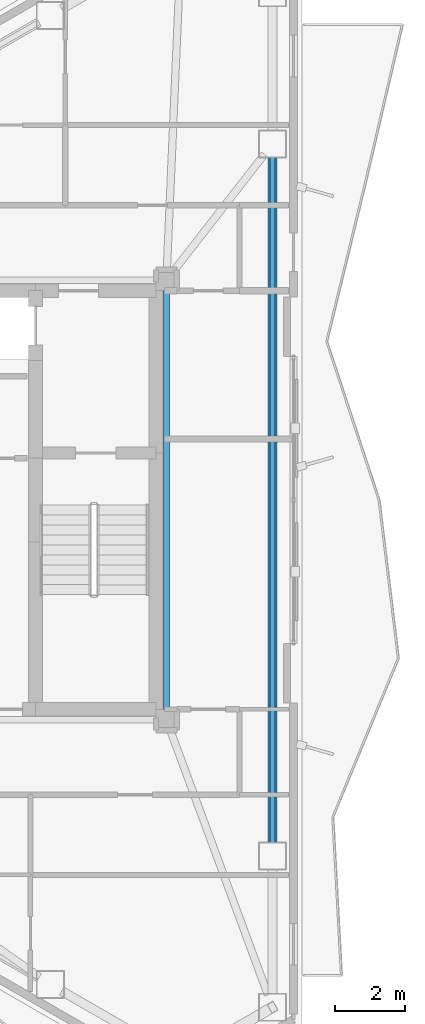
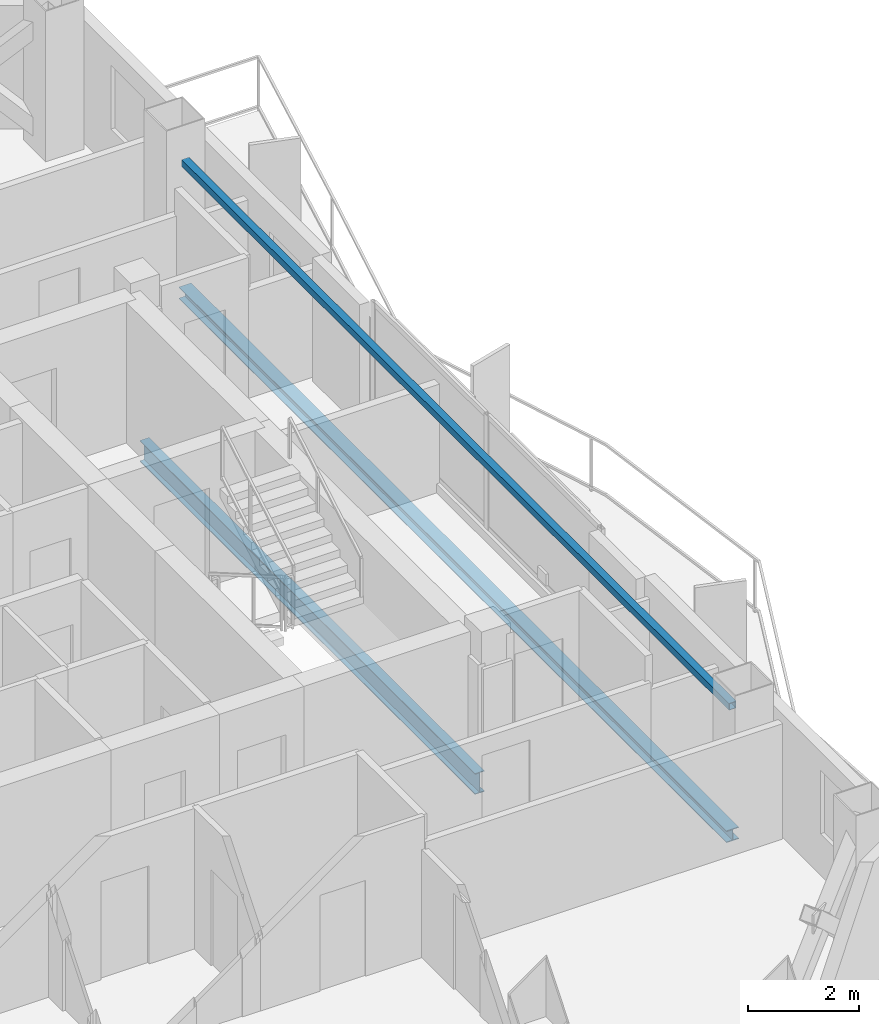
# One storey, part 11 of 18: 3 beams.
"""IFC4 building model written with IfcOpenShell, lengths in metres."""

from ifc_helpers import new_model, si_unit, direction, frame, origin, origin_2d, place, context, subcontext, project, spatial, hollow_rectangle, i_section, extrude, material, material_profile, profile_set, type_object, element, save


model = new_model("IFC4")

# Units and contexts
model_context = context("Model", 3, precision=1e-05, world=origin(), true_north=direction((0.0, 1.0)))
body_context = subcontext(model_context, "Body", "Model", "MODEL_VIEW")
ifc_project = project(units=[si_unit("LENGTHUNIT", "METRE"), si_unit("AREAUNIT", "SQUARE_METRE"), si_unit("VOLUMEUNIT", "CUBIC_METRE"), si_unit("PLANEANGLEUNIT", "RADIAN"), si_unit("MASSUNIT", "GRAM", prefix="KILO")], contexts=[model_context])

# Site, building, storey
site_placement = place(None, origin())
site = spatial("IfcSite", under=ifc_project, at=site_placement, CompositionType="ELEMENT")
building_placement = place(site_placement, origin())
building = spatial("IfcBuilding", under=site, at=building_placement, Name="Mersakhor Tower and Convention Hall", CompositionType="ELEMENT")
storey_placement = place(building_placement, frame((0.0, 0.0, 226.5)))
storey = spatial("IfcBuildingStorey", under=building, at=storey_placement, Name="L63", CompositionType="ELEMENT", Elevation=226.5)

# Beams
ifc_material_1 = material(Name="Steel S355", Category="steel")
ifc_material_profile_1 = material_profile(ifc_material_1, i_section(OverallWidth=0.19140625, OverallDepth=0.4599609375, WebThickness=0.010009765625, FlangeThickness=0.01611328125, at=origin_2d()), Name="UB 457x191x82")
ifc_profile_set_1 = profile_set([ifc_material_profile_1], Name="Steel S355")
beam_type_1 = type_object("IfcBeamType", Name="BM-FB-457", PredefinedType="BEAM", material=ifc_profile_set_1)
beam_1_placement = place(storey_placement, frame((36.10009765625, 32.77001953125, -0.449951171875), z_axis=(0.0, -1.0, 0.0), x_axis=(1.0, 0.0, 0.0)))
element("IfcBeam", 1, at=beam_1_placement, inside=storey, type_object=beam_type_1, Name="L63 Core Ring Tie Beam CRB-3", PredefinedType="BEAM", context=body_context, shape_type="SweptSolid", body=[
    extrude(i_section(OverallWidth=0.19140625, OverallDepth=0.4599609375, WebThickness=0.010009765625, FlangeThickness=0.01611328125, at=origin_2d()), origin(), (0.0, 0.0, 1.0), 12.0400390625),
])
ifc_material_2 = material(Name="Steel S355", Category="steel")
ifc_material_profile_2 = material_profile(ifc_material_2, hollow_rectangle(XDim=0.14990234375, YDim=0.14990234375, WallThickness=0.010009765625, at=origin_2d()), Name="SHS 150x150x10")
ifc_profile_set_2 = profile_set([ifc_material_profile_2], Name="Steel S355")
beam_type_2 = type_object("IfcBeamType", Name="BM-GRT-SHS150", PredefinedType="USERDEFINED", material=ifc_profile_set_2)
beam_2_placement = place(storey_placement, frame((39.142822265625, 36.580810546875, 2.47998046875), z_axis=(0.0, -1.0, 0.0), x_axis=(1.0, 0.0, 0.0)))
element("IfcBeam", 2, at=beam_2_placement, inside=storey, type_object=beam_type_2, Name="L63 Facade Support Girt GRT-F2", ObjectType="GIRT", PredefinedType="USERDEFINED", context=body_context, shape_type="SweptSolid", body=[
    extrude(hollow_rectangle(XDim=0.14990234375, YDim=0.14990234375, WallThickness=0.010009765625, at=origin_2d()), origin(), (0.0, 0.0, 1.0), 19.66162109375),
])
ifc_material_3 = material(Name="Steel S355", Category="steel")
ifc_material_profile_3 = material_profile(ifc_material_3, i_section(OverallWidth=0.25634765625, OverallDepth=0.26025390625, WebThickness=0.01025390625, FlangeThickness=0.017333984375, at=origin_2d()), Name="UC 254x254x89")
ifc_profile_set_3 = profile_set([ifc_material_profile_3], Name="Steel S355")
beam_type_3 = type_object("IfcBeamType", Name="BM-SPD-UC254", PredefinedType="SPANDREL", material=ifc_profile_set_3)
beam_3_placement = place(storey_placement, frame((39.142822265625, 36.580810546875, -0.35009765625), z_axis=(0.0, -1.0, 0.0), x_axis=(1.0, 0.0, 0.0)))
element("IfcBeam", 3, at=beam_3_placement, inside=storey, type_object=beam_type_3, Name="L63 Perimeter Spandrel Beam SPB-06", PredefinedType="SPANDREL", context=body_context, shape_type="SweptSolid", body=[
    extrude(i_section(OverallWidth=0.25634765625, OverallDepth=0.26025390625, WebThickness=0.01025390625, FlangeThickness=0.017333984375, at=origin_2d()), origin(), (0.0, 0.0, 1.0), 19.66162109375),
])

save(model, "model.ifc")
